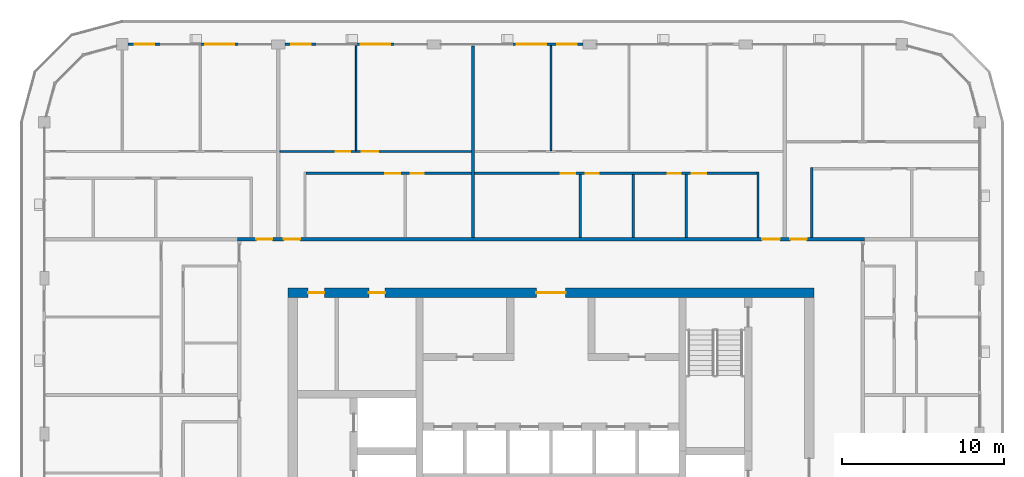
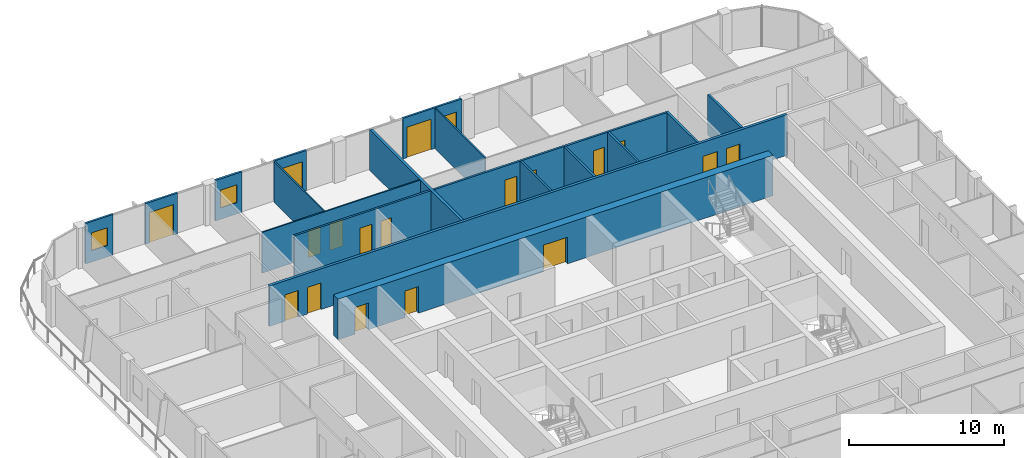
# One storey, part 14 of 21: 18 doors, 18 walls, 3 windows, 21 openings.
"""IFC4 building model written with IfcOpenShell, lengths in metres."""

from ifc_helpers import new_model, si_unit, direction, frame, frame_2d, origin, place, context, subcontext, project, spatial, rectangle, extrude, material, layer, layer_set, type_object, element, fill, save


model = new_model("IFC4")

# Units and contexts
model_context = context("Model", 3, precision=1e-05, world=origin(), true_north=direction((0.0, 1.0)))
body_context = subcontext(model_context, "Body", "Model", "MODEL_VIEW")
ifc_project = project(units=[si_unit("LENGTHUNIT", "METRE"), si_unit("AREAUNIT", "SQUARE_METRE"), si_unit("VOLUMEUNIT", "CUBIC_METRE"), si_unit("PLANEANGLEUNIT", "RADIAN"), si_unit("MASSUNIT", "GRAM", prefix="KILO")], contexts=[model_context])

# Site, building, storey
site_placement = place(None, origin())
site = spatial("IfcSite", under=ifc_project, at=site_placement, CompositionType="ELEMENT")
building_placement = place(site_placement, origin())
building = spatial("IfcBuilding", under=site, at=building_placement, Name="Madar Terraces", CompositionType="ELEMENT")
storey_placement = place(building_placement, frame((0.0, 0.0, 242.199951171875)))
storey = spatial("IfcBuildingStorey", under=building, at=storey_placement, Name="L63", CompositionType="ELEMENT", Elevation=242.199951171875)

# Wall, openings, doors
ifc_material_1 = material(Name="Concrete C55/67", Category="concrete")
ifc_layer_1 = layer(ifc_material_1, 0.60009765625)
ifc_layer_set_1 = layer_set([ifc_layer_1], Name="Concrete C55/67 (CRW5 RC wall 600)")
wall_type_1 = type_object("IfcWallType", Name="CRW5 RC wall 600", PredefinedType="SHEAR", material=ifc_layer_set_1)
wall_1_placement = place(storey_placement, frame((15.0, 37.5, 0.0), z_axis=(0.0, 0.0, 1.0), x_axis=(1.0, 0.0, 0.0)))
wall_1 = element("IfcWall", 1, at=wall_1_placement, inside=storey, type_object=wall_type_1, Name="CORE OUTER WALL", PredefinedType="SHEAR", context=body_context, shape_type="SweptSolid", body=[
    extrude(rectangle(XDim=32.39990234375, YDim=0.60009765625, at=frame_2d((16.199951171875, 0.0))), origin(), (0.0, 0.0, 1.0), 3.199951171875),
])
opening_1_placement = place(wall_1_placement, frame((15.300048828125, 0.0, 0.0)))
opening_1 = element("IfcOpeningElement", 2, at=opening_1_placement, cuts=wall_1, Name="Opening KD1", PredefinedType="OPENING", context=body_context, shape_type="SweptSolid", body=[
    extrude(rectangle(XDim=1.800048828125, YDim=2.10009765625, at=frame_2d((0.89990234375, 1.050048828125))), frame((0.0, 0.31005859375, 0.0), z_axis=(0.0, -1.0, 0.0), x_axis=(1.0, 0.0, 0.0)), (0.0, 0.0, 1.0), 0.6201171875),
])
opening_2_placement = place(wall_1_placement, frame((1.25048828125, 0.0, 0.0)))
opening_2 = element("IfcOpeningElement", 3, at=opening_2_placement, cuts=wall_1, Name="Opening KD2", PredefinedType="OPENING", context=body_context, shape_type="SweptSolid", body=[
    extrude(rectangle(XDim=1.0, YDim=2.10009765625, at=frame_2d((0.5, 1.050048828125))), frame((0.0, 0.31005859375, 0.0), z_axis=(0.0, -1.0, 0.0), x_axis=(1.0, 0.0, 0.0)), (0.0, 0.0, 1.0), 0.6201171875),
])
opening_3_placement = place(wall_1_placement, frame((4.98779296875, 0.0, 0.0)))
opening_3 = element("IfcOpeningElement", 4, at=opening_3_placement, cuts=wall_1, Name="Opening KD2", PredefinedType="OPENING", context=body_context, shape_type="SweptSolid", body=[
    extrude(rectangle(XDim=1.0, YDim=2.10009765625, at=frame_2d((0.5, 1.050048828125))), frame((0.0, 0.31005859375, 0.0), z_axis=(0.0, -1.0, 0.0), x_axis=(1.0, 0.0, 0.0)), (0.0, 0.0, 1.0), 0.6201171875),
])
ifc_material_2 = material(Name="Steel door leaf", Category="steel")
door_type_1 = type_object("IfcDoorType", Name="Lobby door pair 1800 x 2100", OperationType="DOUBLE_DOOR_SINGLE_SWING", PredefinedType="DOOR", material=ifc_material_2)
door_1_placement = place(opening_1_placement, origin())
door_1 = element("IfcDoor", 5, at=door_1_placement, inside=storey, type_object=door_type_1, Name="LIFT LOBBY DOOR", OperationType="DOUBLE_DOOR_SINGLE_SWING", OverallHeight=2.10009765625, OverallWidth=1.800048828125, PredefinedType="DOOR", context=body_context, shape_type="SweptSolid", body=[
    extrude(rectangle(XDim=1.800048828125, YDim=2.10009765625, at=frame_2d((0.89990234375, 1.050048828125))), frame((0.0, 0.02490234375, 0.0), z_axis=(0.0, -1.0, 0.0), x_axis=(1.0, 0.0, 0.0)), (0.0, 0.0, 1.0), 0.050048828125),
])
fill(opening_1, door_1)
ifc_material_3 = material(Name="Steel door leaf", Category="steel")
door_type_2 = type_object("IfcDoorType", Name="Service room door 1000 x 2100", OperationType="NOTDEFINED", PredefinedType="DOOR", material=ifc_material_3)
door_2_placement = place(opening_2_placement, origin())
door_2 = element("IfcDoor", 6, at=door_2_placement, inside=storey, type_object=door_type_2, Name="SERVICE ROOM DOOR", OperationType="SINGLE_SWING_RIGHT", OverallHeight=2.10009765625, OverallWidth=1.0, PredefinedType="DOOR", context=body_context, shape_type="SweptSolid", body=[
    extrude(rectangle(XDim=1.0, YDim=2.10009765625, at=frame_2d((0.5, 1.050048828125))), frame((0.0, 0.02490234375, 0.0), z_axis=(0.0, -1.0, 0.0), x_axis=(1.0, 0.0, 0.0)), (0.0, 0.0, 1.0), 0.050048828125),
])
fill(opening_2, door_2)
door_3_placement = place(opening_3_placement, origin())
door_3 = element("IfcDoor", 7, at=door_3_placement, inside=storey, type_object=door_type_2, Name="SERVICE ROOM DOOR", OperationType="SINGLE_SWING_LEFT", OverallHeight=2.10009765625, OverallWidth=1.0, PredefinedType="DOOR", context=body_context, shape_type="SweptSolid", body=[
    extrude(rectangle(XDim=1.0, YDim=2.10009765625, at=frame_2d((0.5, 1.050048828125))), frame((0.0, 0.02490234375, 0.0), z_axis=(0.0, -1.0, 0.0), x_axis=(1.0, 0.0, 0.0)), (0.0, 0.0, 1.0), 0.050048828125),
])
fill(opening_3, door_3)

# Wall, openings, door, window
ifc_material_4 = material(Name="Aluminium composite panel, black, over insulated backing", Category="aluminium")
ifc_layer_2 = layer(ifc_material_4, 0.14990234375)
ifc_layer_set_2 = layer_set([ifc_layer_2], Name="Facade bay panel 150")
wall_type_2 = type_object("IfcWallType", Name="Facade bay panel 150", PredefinedType="SOLIDWALL", material=ifc_layer_set_2)
wall_2_placement = place(storey_placement, frame((33.175048828125, 52.800048828125, 0.0), z_axis=(0.0, 0.0, 1.0), x_axis=(-1.0, 0.0, 0.0)))
wall_2 = element("IfcWall", 8, at=wall_2_placement, inside=storey, type_object=wall_type_2, Name="Facade bay panel", PredefinedType="SOLIDWALL", context=body_context, shape_type="SweptSolid", body=[
    extrude(rectangle(XDim=4.375, YDim=0.14990234375, at=frame_2d((2.1875, 0.0))), origin(), (0.0, 0.0, 1.0), 3.199951171875),
])
opening_4_placement = place(wall_2_placement, frame((0.387451171875, 0.0, 0.89990234375)))
opening_4 = element("IfcOpeningElement", 9, at=opening_4_placement, cuts=wall_2, Name="Opening W1", PredefinedType="OPENING", context=body_context, shape_type="SweptSolid", body=[
    extrude(rectangle(XDim=1.199951171875, YDim=1.39990234375, at=frame_2d((0.60009765625, 0.699951171875))), frame((0.0, 0.0849609375, 0.0), z_axis=(0.0, -1.0, 0.0), x_axis=(1.0, 0.0, 0.0)), (0.0, 0.0, 1.0), 0.169921875),
])
opening_5_placement = place(wall_2_placement, frame((2.27490234375, 0.0, 0.0)))
opening_5 = element("IfcOpeningElement", 10, at=opening_5_placement, cuts=wall_2, Name="Opening ED1", PredefinedType="OPENING", context=body_context, shape_type="SweptSolid", body=[
    extrude(rectangle(XDim=1.800048828125, YDim=2.39990234375, at=frame_2d((0.89990234375, 1.199951171875))), frame((0.0, 0.0849609375, 0.0), z_axis=(0.0, -1.0, 0.0), x_axis=(1.0, 0.0, 0.0)), (0.0, 0.0, 1.0), 0.169921875),
])
ifc_material_5 = material(Name="Glass, clear, with black aluminium frame", Category="aluminium")
door_type_3 = type_object("IfcDoorType", Name="Balcony and terrace sliding door 1800 x 2400", OperationType="SLIDING_TO_LEFT", PredefinedType="DOOR", material=ifc_material_5)
door_4_placement = place(opening_5_placement, origin())
door_4 = element("IfcDoor", 11, at=door_4_placement, inside=storey, type_object=door_type_3, Name="Balcony door", OperationType="SLIDING_TO_RIGHT", OverallHeight=2.39990234375, OverallWidth=1.800048828125, PredefinedType="DOOR", context=body_context, shape_type="SweptSolid", body=[
    extrude(rectangle(XDim=1.800048828125, YDim=2.39990234375, at=frame_2d((0.89990234375, 1.199951171875))), frame((0.0, 0.02490234375, 0.0), z_axis=(0.0, -1.0, 0.0), x_axis=(1.0, 0.0, 0.0)), (0.0, 0.0, 1.0), 0.050048828125),
])
fill(opening_5, door_4)
ifc_material_6 = material(Name="Glass, clear, with black aluminium frame", Category="aluminium")
window_type = type_object("IfcWindowType", Name="Vent window 1200 x 1400", PartitioningType="SINGLE_PANEL", PredefinedType="WINDOW", material=ifc_material_6)
window_1_placement = place(opening_4_placement, origin())
window_1 = element("IfcWindow", 12, at=window_1_placement, inside=storey, type_object=window_type, Name="Operable vent window", OverallHeight=1.39990234375, OverallWidth=1.199951171875, PartitioningType="SINGLE_PANEL", PredefinedType="WINDOW", context=body_context, shape_type="SweptSolid", body=[
    extrude(rectangle(XDim=1.199951171875, YDim=1.39990234375, at=frame_2d((0.60009765625, 0.699951171875))), frame((0.0, 0.030029296875, 0.0), z_axis=(0.0, -1.0, 0.0), x_axis=(1.0, 0.0, 0.0)), (0.0, 0.0, 1.0), 0.06005859375),
])
fill(opening_4, window_1)

# Wall, opening, door
wall_3_placement = place(storey_placement, frame((21.60009765625, 52.800048828125, 0.0), z_axis=(0.0, 0.0, 1.0), x_axis=(-1.0, 0.0, 0.0)))
wall_3 = element("IfcWall", 13, at=wall_3_placement, inside=storey, type_object=wall_type_2, Name="Facade bay panel", PredefinedType="SOLIDWALL", context=body_context, shape_type="SweptSolid", body=[
    extrude(rectangle(XDim=2.400146484375, YDim=0.14990234375, at=frame_2d((1.2001953125, 0.0))), origin(), (0.0, 0.0, 1.0), 3.199951171875),
])
opening_6_placement = place(wall_3_placement, frame((0.300048828125, 0.0, 0.0)))
opening_6 = element("IfcOpeningElement", 14, at=opening_6_placement, cuts=wall_3, Name="Opening ED1", PredefinedType="OPENING", context=body_context, shape_type="SweptSolid", body=[
    extrude(rectangle(XDim=1.800048828125, YDim=2.39990234375, at=frame_2d((0.89990234375, 1.199951171875))), frame((0.0, 0.0849609375, 0.0), z_axis=(0.0, -1.0, 0.0), x_axis=(1.0, 0.0, 0.0)), (0.0, 0.0, 1.0), 0.169921875),
])
door_5_placement = place(opening_6_placement, origin())
door_5 = element("IfcDoor", 15, at=door_5_placement, inside=storey, type_object=door_type_3, Name="Balcony door", OperationType="SLIDING_TO_LEFT", OverallHeight=2.39990234375, OverallWidth=1.800048828125, PredefinedType="DOOR", context=body_context, shape_type="SweptSolid", body=[
    extrude(rectangle(XDim=1.800048828125, YDim=2.39990234375, at=frame_2d((0.89990234375, 1.199951171875))), frame((0.0, 0.02490234375, 0.0), z_axis=(0.0, -1.0, 0.0), x_axis=(1.0, 0.0, 0.0)), (0.0, 0.0, 1.0), 0.050048828125),
])
fill(opening_6, door_5)

# Wall, opening, window
wall_4_placement = place(storey_placement, frame((16.800048828125, 52.800048828125, 0.0), z_axis=(0.0, 0.0, 1.0), x_axis=(-1.0, 0.0, 0.0)))
wall_4 = element("IfcWall", 16, at=wall_4_placement, inside=storey, type_object=wall_type_2, Name="Facade bay panel", PredefinedType="SOLIDWALL", context=body_context, shape_type="SweptSolid", body=[
    extrude(rectangle(XDim=1.97509765625, YDim=0.14990234375, at=frame_2d((0.987548828125, 0.0))), origin(), (0.0, 0.0, 1.0), 3.199951171875),
])
opening_7_placement = place(wall_4_placement, frame((0.387451171875, 0.0, 0.89990234375)))
opening_7 = element("IfcOpeningElement", 17, at=opening_7_placement, cuts=wall_4, Name="Opening W1", PredefinedType="OPENING", context=body_context, shape_type="SweptSolid", body=[
    extrude(rectangle(XDim=1.199951171875, YDim=1.39990234375, at=frame_2d((0.60009765625, 0.699951171875))), frame((0.0, 0.0849609375, 0.0), z_axis=(0.0, -1.0, 0.0), x_axis=(1.0, 0.0, 0.0)), (0.0, 0.0, 1.0), 0.169921875),
])
window_2_placement = place(opening_7_placement, origin())
window_2 = element("IfcWindow", 18, at=window_2_placement, inside=storey, type_object=window_type, Name="Operable vent window", OverallHeight=1.39990234375, OverallWidth=1.199951171875, PartitioningType="SINGLE_PANEL", PredefinedType="WINDOW", context=body_context, shape_type="SweptSolid", body=[
    extrude(rectangle(XDim=1.199951171875, YDim=1.39990234375, at=frame_2d((0.60009765625, 0.699951171875))), frame((0.0, 0.030029296875, 0.0), z_axis=(0.0, -1.0, 0.0), x_axis=(1.0, 0.0, 0.0)), (0.0, 0.0, 1.0), 0.06005859375),
])
fill(opening_7, window_2)

# Wall, opening, door
wall_5_placement = place(storey_placement, frame((12.0, 52.800048828125, 0.0), z_axis=(0.0, 0.0, 1.0), x_axis=(-1.0, 0.0, 0.0)))
wall_5 = element("IfcWall", 19, at=wall_5_placement, inside=storey, type_object=wall_type_2, Name="Facade bay panel", PredefinedType="SOLIDWALL", context=body_context, shape_type="SweptSolid", body=[
    extrude(rectangle(XDim=2.39990234375, YDim=0.14990234375, at=frame_2d((1.199951171875, 0.0))), origin(), (0.0, 0.0, 1.0), 3.199951171875),
])
opening_8_placement = place(wall_5_placement, frame((0.300048828125, 0.0, 0.0)))
opening_8 = element("IfcOpeningElement", 20, at=opening_8_placement, cuts=wall_5, Name="Opening ED1", PredefinedType="OPENING", context=body_context, shape_type="SweptSolid", body=[
    extrude(rectangle(XDim=1.800048828125, YDim=2.39990234375, at=frame_2d((0.89990234375, 1.199951171875))), frame((0.0, 0.0849609375, 0.0), z_axis=(0.0, -1.0, 0.0), x_axis=(1.0, 0.0, 0.0)), (0.0, 0.0, 1.0), 0.169921875),
])
door_6_placement = place(opening_8_placement, origin())
door_6 = element("IfcDoor", 21, at=door_6_placement, inside=storey, type_object=door_type_3, Name="Balcony door", OperationType="SLIDING_TO_RIGHT", OverallHeight=2.39990234375, OverallWidth=1.800048828125, PredefinedType="DOOR", context=body_context, shape_type="SweptSolid", body=[
    extrude(rectangle(XDim=1.800048828125, YDim=2.39990234375, at=frame_2d((0.89990234375, 1.199951171875))), frame((0.0, 0.02490234375, 0.0), z_axis=(0.0, -1.0, 0.0), x_axis=(1.0, 0.0, 0.0)), (0.0, 0.0, 1.0), 0.050048828125),
])
fill(opening_8, door_6)

# Wall, opening, window
wall_6_placement = place(storey_placement, frame((7.199951171875, 52.800048828125, 0.0), z_axis=(0.0, 0.0, 1.0), x_axis=(-1.0, 0.0, 0.0)))
wall_6 = element("IfcWall", 22, at=wall_6_placement, inside=storey, type_object=wall_type_2, Name="Facade bay panel", PredefinedType="SOLIDWALL", context=body_context, shape_type="SweptSolid", body=[
    extrude(rectangle(XDim=2.050048828125, YDim=0.14990234375, at=frame_2d((1.02490234375, 0.0))), origin(), (0.0, 0.0, 1.0), 3.199951171875),
])
opening_9_placement = place(wall_6_placement, frame((0.425048828125, 0.0, 0.89990234375)))
opening_9 = element("IfcOpeningElement", 23, at=opening_9_placement, cuts=wall_6, Name="Opening W1", PredefinedType="OPENING", context=body_context, shape_type="SweptSolid", body=[
    extrude(rectangle(XDim=1.199951171875, YDim=1.39990234375, at=frame_2d((0.60009765625, 0.699951171875))), frame((0.0, 0.0849609375, 0.0), z_axis=(0.0, -1.0, 0.0), x_axis=(1.0, 0.0, 0.0)), (0.0, 0.0, 1.0), 0.169921875),
])
window_3_placement = place(opening_9_placement, origin())
window_3 = element("IfcWindow", 24, at=window_3_placement, inside=storey, type_object=window_type, Name="Operable vent window", OverallHeight=1.39990234375, OverallWidth=1.199951171875, PartitioningType="SINGLE_PANEL", PredefinedType="WINDOW", context=body_context, shape_type="SweptSolid", body=[
    extrude(rectangle(XDim=1.199951171875, YDim=1.39990234375, at=frame_2d((0.60009765625, 0.699951171875))), frame((0.0, 0.030029296875, 0.0), z_axis=(0.0, -1.0, 0.0), x_axis=(1.0, 0.0, 0.0)), (0.0, 0.0, 1.0), 0.06005859375),
])
fill(opening_9, window_3)

# Walls
ifc_material_7 = material(Name="Gypsum board on steel studs", Category="steel")
ifc_layer_3 = layer(ifc_material_7, 0.10009765625)
ifc_layer_set_3 = layer_set([ifc_layer_3], Name="Flat partition 100")
wall_type_3 = type_object("IfcWallType", Name="Flat partition 100", PredefinedType="PARTITIONING", material=ifc_layer_set_3)
for number, where, z_axis, x_axis, name in (
    (25, (31.199951171875, 46.25, 0.0), (0.0, 0.0, 1.0), (0.0, 1.0, 0.0), "Flat partition 100"),
    (26, (19.199951171875, 46.25, 0.0), (0.0, 0.0, 1.0), (0.0, 1.0, 0.0), "Flat partition 100"),
):
    element("IfcWall", number, at=place(storey_placement, frame(where, z_axis=z_axis, x_axis=x_axis)), inside=storey, type_object=wall_type_3, Name=name, PredefinedType="PARTITIONING", context=body_context, shape_type="SweptSolid", body=[
        extrude(rectangle(XDim=6.449951171875, YDim=0.10009765625, at=frame_2d((3.22509765625, 0.0))), origin(), (0.0, 0.0, 1.0), 3.199951171875),
    ])

# Wall, openings, doors
wall_7_placement = place(storey_placement, frame((14.5, 46.199951171875, 0.0), z_axis=(0.0, 0.0, 1.0), x_axis=(1.0, 0.0, 0.0)))
wall_7 = element("IfcWall", 27, at=wall_7_placement, inside=storey, type_object=wall_type_3, Name="Flat partition 100", PredefinedType="PARTITIONING", context=body_context, shape_type="SweptSolid", body=[
    extrude(rectangle(XDim=11.800048828125, YDim=0.10009765625, at=frame_2d((5.89990234375, 0.0))), origin(), (0.0, 0.0, 1.0), 3.199951171875),
])
opening_10_placement = place(wall_7_placement, frame((3.449951171875, 0.0, 0.0)))
opening_10 = element("IfcOpeningElement", 28, at=opening_10_placement, cuts=wall_7, Name="Opening D2", PredefinedType="OPENING", context=body_context, shape_type="SweptSolid", body=[
    extrude(rectangle(XDim=0.89990234375, YDim=2.10009765625, at=frame_2d((0.449951171875, 1.050048828125))), frame((0.0, 0.06005859375, 0.0), z_axis=(0.0, -1.0, 0.0), x_axis=(1.0, 0.0, 0.0)), (0.0, 0.0, 1.0), 0.1201171875),
])
opening_11_placement = place(wall_7_placement, frame((5.050048828125, 0.0, 0.0)))
opening_11 = element("IfcOpeningElement", 29, at=opening_11_placement, cuts=wall_7, Name="Opening D3", PredefinedType="OPENING", context=body_context, shape_type="SweptSolid", body=[
    extrude(rectangle(XDim=1.0, YDim=2.10009765625, at=frame_2d((0.5, 1.050048828125))), frame((0.0, 0.06005859375, 0.0), z_axis=(0.0, -1.0, 0.0), x_axis=(1.0, 0.0, 0.0)), (0.0, 0.0, 1.0), 0.1201171875),
])
ifc_material_8 = material(Name="Timber door leaf", Category="wood")
door_type_4 = type_object("IfcDoorType", Name="Flat living room door 1000", OperationType="NOTDEFINED", PredefinedType="DOOR", material=ifc_material_8)
door_7_placement = place(opening_11_placement, origin())
door_7 = element("IfcDoor", 30, at=door_7_placement, inside=storey, type_object=door_type_4, Name="Flat living room door 1000", OperationType="SINGLE_SWING_LEFT", OverallHeight=2.10009765625, OverallWidth=1.0, PredefinedType="DOOR", context=body_context, shape_type="SweptSolid", body=[
    extrude(rectangle(XDim=1.0, YDim=2.10009765625, at=frame_2d((0.5, 1.050048828125))), frame((0.0, 0.02490234375, 0.0), z_axis=(0.0, -1.0, 0.0), x_axis=(1.0, 0.0, 0.0)), (0.0, 0.0, 1.0), 0.050048828125),
])
fill(opening_11, door_7)
ifc_material_9 = material(Name="Timber door leaf", Category="wood")
door_type_5 = type_object("IfcDoorType", Name="Flat room door 900", OperationType="NOTDEFINED", PredefinedType="DOOR", material=ifc_material_9)
door_8_placement = place(opening_10_placement, origin())
door_8 = element("IfcDoor", 31, at=door_8_placement, inside=storey, type_object=door_type_5, Name="Flat room door 900", OperationType="SINGLE_SWING_RIGHT", OverallHeight=2.10009765625, OverallWidth=0.89990234375, PredefinedType="DOOR", context=body_context, shape_type="SweptSolid", body=[
    extrude(rectangle(XDim=0.89990234375, YDim=2.10009765625, at=frame_2d((0.449951171875, 1.050048828125))), frame((0.0, 0.02490234375, 0.0), z_axis=(0.0, -1.0, 0.0), x_axis=(1.0, 0.0, 0.0)), (0.0, 0.0, 1.0), 0.050048828125),
])
fill(opening_10, door_8)

ifc_material_10 = material(Name="Lightweight blockwork", Category="masonry")
ifc_layer_4 = layer(ifc_material_10, 0.199951171875)
ifc_layer_set_4 = layer_set([ifc_layer_4], Name="Flat party and entrance wall 200")
wall_type_4 = type_object("IfcWallType", Name="Flat party and entrance wall 200", PredefinedType="PARTITIONING", material=ifc_layer_set_4)
wall_8_placement = place(storey_placement, frame((11.89990234375, 40.800048828125, 0.0), z_axis=(0.0, 0.0, 1.0), x_axis=(1.0, 0.0, 0.0)))
wall_8 = element("IfcWall", 32, at=wall_8_placement, inside=storey, type_object=wall_type_4, Name="Flat party and entrance wall 200", PredefinedType="PARTITIONING", context=body_context, shape_type="SweptSolid", body=[
    extrude(rectangle(XDim=38.60009765625, YDim=0.199951171875, at=frame_2d((19.300048828125, 0.0))), origin(), (0.0, 0.0, 1.0), 3.199951171875),
])
opening_12_placement = place(wall_8_placement, frame((34.050048828125, 0.0, 0.0)))
opening_12 = element("IfcOpeningElement", 33, at=opening_12_placement, cuts=wall_8, Name="Opening D1", PredefinedType="OPENING", context=body_context, shape_type="SweptSolid", body=[
    extrude(rectangle(XDim=1.0, YDim=2.10009765625, at=frame_2d((0.5, 1.050048828125))), frame((0.0, 0.10986328125, 0.0), z_axis=(0.0, -1.0, 0.0), x_axis=(1.0, 0.0, 0.0)), (0.0, 0.0, 1.0), 0.219970703125),
])
opening_13_placement = place(wall_8_placement, frame((32.300048828125, 0.0, 0.0)))
opening_13 = element("IfcOpeningElement", 34, at=opening_13_placement, cuts=wall_8, Name="Opening D6", PredefinedType="OPENING", context=body_context, shape_type="SweptSolid", body=[
    extrude(rectangle(XDim=1.10009765625, YDim=2.10009765625, at=frame_2d((0.550048828125, 1.050048828125))), frame((0.0, 0.10986328125, 0.0), z_axis=(0.0, -1.0, 0.0), x_axis=(1.0, 0.0, 0.0)), (0.0, 0.0, 1.0), 0.219970703125),
])
opening_14_placement = place(wall_8_placement, frame((2.85009765625, 0.0, 0.0)))
opening_14 = element("IfcOpeningElement", 35, at=opening_14_placement, cuts=wall_8, Name="Opening D1", PredefinedType="OPENING", context=body_context, shape_type="SweptSolid", body=[
    extrude(rectangle(XDim=1.0, YDim=2.10009765625, at=frame_2d((0.5, 1.050048828125))), frame((0.0, 0.10986328125, 0.0), z_axis=(0.0, -1.0, 0.0), x_axis=(1.0, 0.0, 0.0)), (0.0, 0.0, 1.0), 0.219970703125),
])
opening_15_placement = place(wall_8_placement, frame((1.14990234375, 0.0, 0.0)))
opening_15 = element("IfcOpeningElement", 36, at=opening_15_placement, cuts=wall_8, Name="Opening D1", PredefinedType="OPENING", context=body_context, shape_type="SweptSolid", body=[
    extrude(rectangle(XDim=1.0, YDim=2.10009765625, at=frame_2d((0.5, 1.050048828125))), frame((0.0, 0.10986328125, 0.0), z_axis=(0.0, -1.0, 0.0), x_axis=(1.0, 0.0, 0.0)), (0.0, 0.0, 1.0), 0.219970703125),
])
ifc_material_11 = material(Name="Timber fire door leaf", Category="wood")
door_type_6 = type_object("IfcDoorType", Name="Flat entrance door 1000 FD30S", OperationType="NOTDEFINED", PredefinedType="DOOR", material=ifc_material_11)
door_9_placement = place(opening_12_placement, origin())
door_9 = element("IfcDoor", 37, at=door_9_placement, inside=storey, type_object=door_type_6, Name="Flat entrance door 1000 FD30S", OperationType="SINGLE_SWING_LEFT", OverallHeight=2.10009765625, OverallWidth=1.0, PredefinedType="DOOR", context=body_context, shape_type="SweptSolid", body=[
    extrude(rectangle(XDim=1.0, YDim=2.10009765625, at=frame_2d((0.5, 1.050048828125))), frame((0.0, 0.02490234375, 0.0), z_axis=(0.0, -1.0, 0.0), x_axis=(1.0, 0.0, 0.0)), (0.0, 0.0, 1.0), 0.050048828125),
])
fill(opening_12, door_9)
door_10_placement = place(opening_14_placement, origin())
door_10 = element("IfcDoor", 38, at=door_10_placement, inside=storey, type_object=door_type_6, Name="Flat entrance door 1000 FD30S", OperationType="SINGLE_SWING_LEFT", OverallHeight=2.10009765625, OverallWidth=1.0, PredefinedType="DOOR", context=body_context, shape_type="SweptSolid", body=[
    extrude(rectangle(XDim=1.0, YDim=2.10009765625, at=frame_2d((0.5, 1.050048828125))), frame((0.0, 0.02490234375, 0.0), z_axis=(0.0, -1.0, 0.0), x_axis=(1.0, 0.0, 0.0)), (0.0, 0.0, 1.0), 0.050048828125),
])
fill(opening_14, door_10)
door_11_placement = place(opening_15_placement, origin())
door_11 = element("IfcDoor", 39, at=door_11_placement, inside=storey, type_object=door_type_6, Name="Flat entrance door 1000 FD30S", OperationType="SINGLE_SWING_RIGHT", OverallHeight=2.10009765625, OverallWidth=1.0, PredefinedType="DOOR", context=body_context, shape_type="SweptSolid", body=[
    extrude(rectangle(XDim=1.0, YDim=2.10009765625, at=frame_2d((0.5, 1.050048828125))), frame((0.0, 0.02490234375, 0.0), z_axis=(0.0, -1.0, 0.0), x_axis=(1.0, 0.0, 0.0)), (0.0, 0.0, 1.0), 0.050048828125),
])
fill(opening_15, door_11)
ifc_material_12 = material(Name="Timber fire door leaf", Category="wood")
door_type_7 = type_object("IfcDoorType", Name="Flat entrance door 1100 FD30S", OperationType="NOTDEFINED", PredefinedType="DOOR", material=ifc_material_12)
door_12_placement = place(opening_13_placement, origin())
door_12 = element("IfcDoor", 40, at=door_12_placement, inside=storey, type_object=door_type_7, Name="Flat entrance door 1100 FD30S", OperationType="SINGLE_SWING_RIGHT", OverallHeight=2.10009765625, OverallWidth=1.10009765625, PredefinedType="DOOR", context=body_context, shape_type="SweptSolid", body=[
    extrude(rectangle(XDim=1.10009765625, YDim=2.10009765625, at=frame_2d((0.550048828125, 1.050048828125))), frame((0.0, 0.02490234375, 0.0), z_axis=(0.0, -1.0, 0.0), x_axis=(1.0, 0.0, 0.0)), (0.0, 0.0, 1.0), 0.050048828125),
])
fill(opening_13, door_12)

# Walls
wall_9_placement = place(storey_placement, frame((26.39990234375, 52.699951171875, 0.0), z_axis=(0.0, 0.0, 1.0), x_axis=(0.0, -1.0, 0.0)))
element("IfcWall", 41, at=wall_9_placement, inside=storey, type_object=wall_type_4, Name="Flat party and entrance wall 200", PredefinedType="PARTITIONING", context=body_context, shape_type="SweptSolid", body=[
    extrude(rectangle(XDim=11.800048828125, YDim=0.199951171875, at=frame_2d((5.89990234375, 0.0))), origin(), (0.0, 0.0, 1.0), 3.199951171875),
])
ifc_material_13 = material(Name="Lightweight blockwork", Category="masonry")
ifc_layer_5 = layer(ifc_material_13, 0.14990234375)
ifc_layer_set_5 = layer_set([ifc_layer_5], Name="Flat wet-room partition 150")
wall_type_5 = type_object("IfcWallType", Name="Flat wet-room partition 150", PredefinedType="PARTITIONING", material=ifc_layer_set_5)
wall_10_placement = place(storey_placement, frame((47.25, 40.89990234375, 0.0), z_axis=(0.0, 0.0, 1.0), x_axis=(0.0, 1.0, 0.0)))
element("IfcWall", 42, at=wall_10_placement, inside=storey, type_object=wall_type_5, Name="Flat wet-room partition 150", PredefinedType="PARTITIONING", context=body_context, shape_type="SweptSolid", body=[
    extrude(rectangle(XDim=4.3251953125, YDim=0.14990234375, at=frame_2d((2.16259765625, 0.0))), origin(), (0.0, 0.0, 1.0), 3.199951171875),
])
for number, where, z_axis, x_axis, name in (
    (43, (39.53125, 40.89990234375, 0.0), (0.0, 0.0, 1.0), (0.0, 1.0, 0.0), "Flat wet-room partition 150"),
    (44, (36.2734375, 40.89990234375, 0.0), (0.0, 0.0, 1.0), (0.0, 1.0, 0.0), "Flat wet-room partition 150"),
    (45, (33.015625, 40.89990234375, 0.0), (0.0, 0.0, 1.0), (0.0, 1.0, 0.0), "Flat wet-room partition 150"),
):
    element("IfcWall", number, at=place(storey_placement, frame(where, z_axis=z_axis, x_axis=x_axis)), inside=storey, type_object=wall_type_5, Name=name, PredefinedType="PARTITIONING", context=body_context, shape_type="SweptSolid", body=[
        extrude(rectangle(XDim=3.875, YDim=0.14990234375, at=frame_2d((1.9375, 0.0))), origin(), (0.0, 0.0, 1.0), 3.199951171875),
    ])
wall_11_placement = place(storey_placement, frame((43.949951171875, 40.89990234375, 0.0), z_axis=(0.0, 0.0, 1.0), x_axis=(0.0, 1.0, 0.0)))
element("IfcWall", 46, at=wall_11_placement, inside=storey, type_object=wall_type_5, Name="Flat wet-room partition 150", PredefinedType="PARTITIONING", context=body_context, shape_type="SweptSolid", body=[
    extrude(rectangle(XDim=4.025146484375, YDim=0.14990234375, at=frame_2d((2.0126953125, 0.0))), origin(), (0.0, 0.0, 1.0), 3.199951171875),
])

# Wall, openings, doors
wall_12_placement = place(storey_placement, frame((43.875, 44.85009765625, 0.0), z_axis=(0.0, 0.0, 1.0), x_axis=(-1.0, 0.0, 0.0)))
wall_12 = element("IfcWall", 47, at=wall_12_placement, inside=storey, type_object=wall_type_5, Name="Flat wet-room partition 150", PredefinedType="PARTITIONING", context=body_context, shape_type="SweptSolid", body=[
    extrude(rectangle(XDim=17.375, YDim=0.14990234375, at=frame_2d((8.6875, 0.0))), origin(), (0.0, 0.0, 1.0), 3.199951171875),
])
opening_16_placement = place(wall_12_placement, frame((3.118896484375, 0.0, 0.0)))
opening_16 = element("IfcOpeningElement", 48, at=opening_16_placement, cuts=wall_12, Name="Opening D5", PredefinedType="OPENING", context=body_context, shape_type="SweptSolid", body=[
    extrude(rectangle(XDim=0.89990234375, YDim=2.10009765625, at=frame_2d((0.449951171875, 1.050048828125))), frame((0.0, 0.0849609375, 0.0), z_axis=(0.0, -1.0, 0.0), x_axis=(1.0, 0.0, 0.0)), (0.0, 0.0, 1.0), 0.169921875),
])
opening_17_placement = place(wall_12_placement, frame((4.668701171875, 0.0, 0.0)))
opening_17 = element("IfcOpeningElement", 49, at=opening_17_placement, cuts=wall_12, Name="Opening D4", PredefinedType="OPENING", context=body_context, shape_type="SweptSolid", body=[
    extrude(rectangle(XDim=0.800048828125, YDim=2.10009765625, at=frame_2d((0.39990234375, 1.050048828125))), frame((0.0, 0.0849609375, 0.0), z_axis=(0.0, -1.0, 0.0), x_axis=(1.0, 0.0, 0.0)), (0.0, 0.0, 1.0), 0.169921875),
])
opening_18_placement = place(wall_12_placement, frame((9.734375, 0.0, 0.0)))
opening_18 = element("IfcOpeningElement", 50, at=opening_18_placement, cuts=wall_12, Name="Opening D7", PredefinedType="OPENING", context=body_context, shape_type="SweptSolid", body=[
    extrude(rectangle(XDim=0.800048828125, YDim=2.10009765625, at=frame_2d((0.39990234375, 1.050048828125))), frame((0.0, 0.0849609375, 0.0), z_axis=(0.0, -1.0, 0.0), x_axis=(1.0, 0.0, 0.0)), (0.0, 0.0, 1.0), 0.169921875),
])
opening_19_placement = place(wall_12_placement, frame((11.184326171875, 0.0, 0.0)))
opening_19 = element("IfcOpeningElement", 51, at=opening_19_placement, cuts=wall_12, Name="Opening D2", PredefinedType="OPENING", context=body_context, shape_type="SweptSolid", body=[
    extrude(rectangle(XDim=0.89990234375, YDim=2.10009765625, at=frame_2d((0.449951171875, 1.050048828125))), frame((0.0, 0.0849609375, 0.0), z_axis=(0.0, -1.0, 0.0), x_axis=(1.0, 0.0, 0.0)), (0.0, 0.0, 1.0), 0.169921875),
])
ifc_material_14 = material(Name="Timber door leaf", Category="wood")
door_type_8 = type_object("IfcDoorType", Name="Flat accessible bathroom door 900", OperationType="NOTDEFINED", PredefinedType="DOOR", material=ifc_material_14)
door_13_placement = place(opening_16_placement, origin())
door_13 = element("IfcDoor", 52, at=door_13_placement, inside=storey, type_object=door_type_8, Name="Flat accessible bathroom door 900", OperationType="SINGLE_SWING_RIGHT", OverallHeight=2.10009765625, OverallWidth=0.89990234375, PredefinedType="DOOR", context=body_context, shape_type="SweptSolid", body=[
    extrude(rectangle(XDim=0.89990234375, YDim=2.10009765625, at=frame_2d((0.449951171875, 1.050048828125))), frame((0.0, 0.02490234375, 0.0), z_axis=(0.0, -1.0, 0.0), x_axis=(1.0, 0.0, 0.0)), (0.0, 0.0, 1.0), 0.050048828125),
])
fill(opening_16, door_13)
ifc_material_15 = material(Name="Timber door leaf", Category="wood")
door_type_9 = type_object("IfcDoorType", Name="Flat bathroom door 800", OperationType="NOTDEFINED", PredefinedType="DOOR", material=ifc_material_15)
door_14_placement = place(opening_17_placement, origin())
door_14 = element("IfcDoor", 53, at=door_14_placement, inside=storey, type_object=door_type_9, Name="Flat bathroom door 800", OperationType="SINGLE_SWING_LEFT", OverallHeight=2.10009765625, OverallWidth=0.800048828125, PredefinedType="DOOR", context=body_context, shape_type="SweptSolid", body=[
    extrude(rectangle(XDim=0.800048828125, YDim=2.10009765625, at=frame_2d((0.39990234375, 1.050048828125))), frame((0.0, 0.02490234375, 0.0), z_axis=(0.0, -1.0, 0.0), x_axis=(1.0, 0.0, 0.0)), (0.0, 0.0, 1.0), 0.050048828125),
])
fill(opening_17, door_14)
door_15_placement = place(opening_19_placement, origin())
door_15 = element("IfcDoor", 54, at=door_15_placement, inside=storey, type_object=door_type_5, Name="Flat room door 900", OperationType="SINGLE_SWING_LEFT", OverallHeight=2.10009765625, OverallWidth=0.89990234375, PredefinedType="DOOR", context=body_context, shape_type="SweptSolid", body=[
    extrude(rectangle(XDim=0.89990234375, YDim=2.10009765625, at=frame_2d((0.449951171875, 1.050048828125))), frame((0.0, 0.02490234375, 0.0), z_axis=(0.0, -1.0, 0.0), x_axis=(1.0, 0.0, 0.0)), (0.0, 0.0, 1.0), 0.050048828125),
])
fill(opening_19, door_15)
ifc_material_16 = material(Name="Timber door leaf", Category="wood")
door_type_10 = type_object("IfcDoorType", Name="Flat utility door 800", OperationType="NOTDEFINED", PredefinedType="DOOR", material=ifc_material_16)
door_16_placement = place(opening_18_placement, origin())
door_16 = element("IfcDoor", 55, at=door_16_placement, inside=storey, type_object=door_type_10, Name="Flat utility door 800", OperationType="SINGLE_SWING_RIGHT", OverallHeight=2.10009765625, OverallWidth=0.800048828125, PredefinedType="DOOR", context=body_context, shape_type="SweptSolid", body=[
    extrude(rectangle(XDim=0.800048828125, YDim=2.10009765625, at=frame_2d((0.39990234375, 1.050048828125))), frame((0.0, 0.02490234375, 0.0), z_axis=(0.0, -1.0, 0.0), x_axis=(1.0, 0.0, 0.0)), (0.0, 0.0, 1.0), 0.050048828125),
])
fill(opening_18, door_16)

wall_13_placement = place(storey_placement, frame((26.300048828125, 44.85009765625, 0.0), z_axis=(0.0, 0.0, 1.0), x_axis=(-1.0, 0.0, 0.0)))
wall_13 = element("IfcWall", 56, at=wall_13_placement, inside=storey, type_object=wall_type_5, Name="Flat wet-room partition 150", PredefinedType="PARTITIONING", context=body_context, shape_type="SweptSolid", body=[
    extrude(rectangle(XDim=10.175048828125, YDim=0.14990234375, at=frame_2d((5.08740234375, 0.0))), origin(), (0.0, 0.0, 1.0), 3.199951171875),
])
opening_20_placement = place(wall_13_placement, frame((4.39501953125, 0.0, 0.0)))
opening_20 = element("IfcOpeningElement", 57, at=opening_20_placement, cuts=wall_13, Name="Opening D2", PredefinedType="OPENING", context=body_context, shape_type="SweptSolid", body=[
    extrude(rectangle(XDim=0.89990234375, YDim=2.10009765625, at=frame_2d((0.449951171875, 1.050048828125))), frame((0.0, 0.0849609375, 0.0), z_axis=(0.0, -1.0, 0.0), x_axis=(1.0, 0.0, 0.0)), (0.0, 0.0, 1.0), 0.169921875),
])
opening_21_placement = place(wall_13_placement, frame((2.945068359375, 0.0, 0.0)))
opening_21 = element("IfcOpeningElement", 58, at=opening_21_placement, cuts=wall_13, Name="Opening D4", PredefinedType="OPENING", context=body_context, shape_type="SweptSolid", body=[
    extrude(rectangle(XDim=0.800048828125, YDim=2.10009765625, at=frame_2d((0.39990234375, 1.050048828125))), frame((0.0, 0.0849609375, 0.0), z_axis=(0.0, -1.0, 0.0), x_axis=(1.0, 0.0, 0.0)), (0.0, 0.0, 1.0), 0.169921875),
])
door_17_placement = place(opening_21_placement, origin())
door_17 = element("IfcDoor", 59, at=door_17_placement, inside=storey, type_object=door_type_9, Name="Flat bathroom door 800", OperationType="SINGLE_SWING_RIGHT", OverallHeight=2.10009765625, OverallWidth=0.800048828125, PredefinedType="DOOR", context=body_context, shape_type="SweptSolid", body=[
    extrude(rectangle(XDim=0.800048828125, YDim=2.10009765625, at=frame_2d((0.39990234375, 1.050048828125))), frame((0.0, 0.02490234375, 0.0), z_axis=(0.0, -1.0, 0.0), x_axis=(1.0, 0.0, 0.0)), (0.0, 0.0, 1.0), 0.050048828125),
])
fill(opening_21, door_17)
door_18_placement = place(opening_20_placement, origin())
door_18 = element("IfcDoor", 60, at=door_18_placement, inside=storey, type_object=door_type_5, Name="Flat room door 900", OperationType="SINGLE_SWING_LEFT", OverallHeight=2.10009765625, OverallWidth=0.89990234375, PredefinedType="DOOR", context=body_context, shape_type="SweptSolid", body=[
    extrude(rectangle(XDim=0.89990234375, YDim=2.10009765625, at=frame_2d((0.449951171875, 1.050048828125))), frame((0.0, 0.02490234375, 0.0), z_axis=(0.0, -1.0, 0.0), x_axis=(1.0, 0.0, 0.0)), (0.0, 0.0, 1.0), 0.050048828125),
])
fill(opening_20, door_18)

save(model, "model.ifc")
